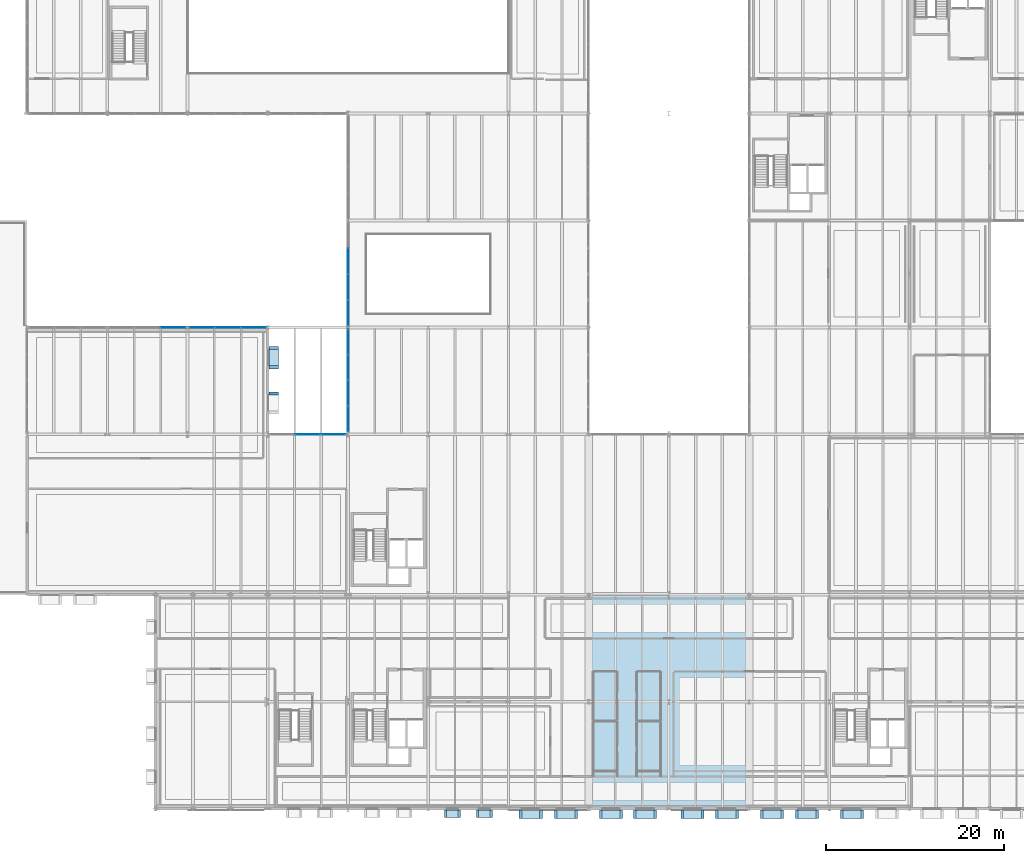
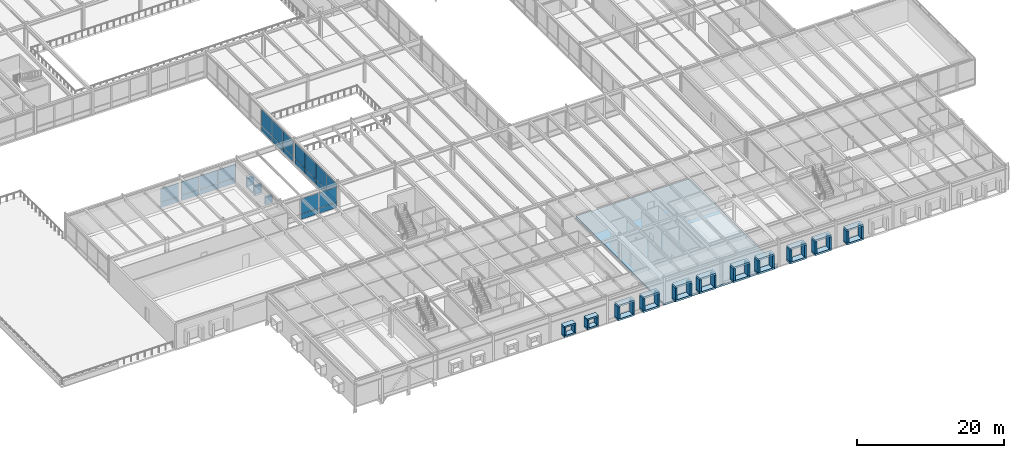
# One storey, part 96 of 127: 75 plates, 1 slab, 5 elements without a shape of their own.
"""IFC4 building model written with IfcOpenShell, lengths in metres."""

from ifc_helpers import new_model, si_unit, direction, frame, origin, origin_2d, place, context, subcontext, project, spatial, polyline, rectangle, outline, extrude, material, layer, layer_set, type_object, element, aggregate, save


model = new_model("IFC4")

# Units and contexts
model_context = context("Model", 3, precision=1e-05, world=origin(), true_north=direction((0.0, 1.0)))
body_context = subcontext(model_context, "Body", "Model", "MODEL_VIEW")
ifc_project = project(units=[si_unit("LENGTHUNIT", "METRE"), si_unit("AREAUNIT", "SQUARE_METRE"), si_unit("VOLUMEUNIT", "CUBIC_METRE"), si_unit("PLANEANGLEUNIT", "RADIAN"), si_unit("MASSUNIT", "GRAM", prefix="KILO")], contexts=[model_context])

# Site, building, storey
site_placement = place(None, origin())
site = spatial("IfcSite", under=ifc_project, at=site_placement, CompositionType="ELEMENT")
building_placement = place(site_placement, origin())
building = spatial("IfcBuilding", under=site, at=building_placement, Name="Montelvaro Courts of Justice", CompositionType="ELEMENT")
storey_placement = place(building_placement, frame((0.0, 0.0, 5.39990234375)))
storey = spatial("IfcBuildingStorey", under=building, at=storey_placement, Name="L01", CompositionType="ELEMENT", Elevation=5.39990234375)

# Curtain wall, plates
ifc_material_1 = material(Name="Anodised aluminium EN AW-6063", Category="aluminium")
ifc_layer_1 = layer(ifc_material_1, 0.159912109375)
ifc_layer_set_1 = layer_set([ifc_layer_1], Name="Anodised aluminium EN AW-6063")
curtain_wall_type_1 = type_object("IfcCurtainWallType", Name="CurtainWall_14_867x418", PredefinedType="USERDEFINED", material=ifc_layer_set_1)
curtain_wall_1_placement = place(storey_placement, origin())
curtain_wall_1 = element("IfcCurtainWall", 1, at=curtain_wall_1_placement, inside=storey, type_object=curtain_wall_type_1, Name="Curtain Wall CW-14 (L01)", ObjectType="CURTAIN WALL", PredefinedType="USERDEFINED")
ifc_material_2 = material(Name="Acoustic laminated triple glazing", Category="glass")
ifc_layer_2 = layer(ifc_material_2, 0.035888671875)
ifc_layer_set_2 = layer_set([ifc_layer_2], Name="Acoustic laminated triple glazing")
plate_type_1 = type_object("IfcPlateType", Name="CurtainWall_Acoustic_Panel_36", PredefinedType="CURTAIN_PANEL", material=ifc_layer_set_2)
plate_1_placement = place(storey_placement, frame((43.375, 54.0, 0.06005859375), z_axis=(0.0, 0.0, 1.0), x_axis=(-1.0, 0.0, 0.0)))
plate_1 = element("IfcPlate", 2, at=plate_1_placement, type_object=plate_type_1, Name="CW-14 panel 1.1", PredefinedType="CURTAIN_PANEL", context=body_context, shape_type="SweptSolid", body=[
    extrude(rectangle(XDim=2.800048828125, YDim=0.035888671875, at=origin_2d()), origin(), (0.0, 0.0, 1.0), 0.860107421875),
])
plate_2_placement = place(storey_placement, frame((43.375, 54.0, 0.97998046875), z_axis=(0.0, 0.0, 1.0), x_axis=(-1.0, 0.0, 0.0)))
plate_2 = element("IfcPlate", 3, at=plate_2_placement, type_object=plate_type_1, Name="CW-14 panel 1.2", PredefinedType="CURTAIN_PANEL", context=body_context, shape_type="SweptSolid", body=[
    extrude(rectangle(XDim=2.800048828125, YDim=0.035888671875, at=origin_2d()), origin(), (0.0, 0.0, 1.0), 2.215087890625),
])
plate_3_placement = place(storey_placement, frame((40.5, 54.0, 0.06005859375), z_axis=(0.0, 0.0, 1.0), x_axis=(-1.0, 0.0, 0.0)))
plate_3 = element("IfcPlate", 4, at=plate_3_placement, type_object=plate_type_1, Name="CW-14 panel 2.1", PredefinedType="CURTAIN_PANEL", context=body_context, shape_type="SweptSolid", body=[
    extrude(rectangle(XDim=2.830078125, YDim=0.035888671875, at=origin_2d()), origin(), (0.0, 0.0, 1.0), 0.860107421875),
])
plate_4_placement = place(storey_placement, frame((40.5, 54.0, 0.97998046875), z_axis=(0.0, 0.0, 1.0), x_axis=(-1.0, 0.0, 0.0)))
plate_4 = element("IfcPlate", 5, at=plate_4_placement, type_object=plate_type_1, Name="CW-14 panel 2.2", PredefinedType="CURTAIN_PANEL", context=body_context, shape_type="SweptSolid", body=[
    extrude(rectangle(XDim=2.830078125, YDim=0.035888671875, at=origin_2d()), origin(), (0.0, 0.0, 1.0), 2.215087890625),
])
plate_5_placement = place(storey_placement, frame((37.625, 54.0, 0.06005859375), z_axis=(0.0, 0.0, 1.0), x_axis=(-1.0, 0.0, 0.0)))
plate_5 = element("IfcPlate", 6, at=plate_5_placement, type_object=plate_type_1, Name="CW-14 panel 3.1", PredefinedType="CURTAIN_PANEL", context=body_context, shape_type="SweptSolid", body=[
    extrude(rectangle(XDim=2.800048828125, YDim=0.035888671875, at=origin_2d()), origin(), (0.0, 0.0, 1.0), 0.860107421875),
])
plate_6_placement = place(storey_placement, frame((37.625, 54.0, 0.97998046875), z_axis=(0.0, 0.0, 1.0), x_axis=(-1.0, 0.0, 0.0)))
plate_6 = element("IfcPlate", 7, at=plate_6_placement, type_object=plate_type_1, Name="CW-14 panel 3.2", PredefinedType="CURTAIN_PANEL", context=body_context, shape_type="SweptSolid", body=[
    extrude(rectangle(XDim=2.800048828125, YDim=0.035888671875, at=origin_2d()), origin(), (0.0, 0.0, 1.0), 2.215087890625),
])
aggregate(curtain_wall_1, [plate_1, plate_2, plate_3, plate_4, plate_5, plate_6])

ifc_layer_3 = layer(ifc_material_1, 0.159912109375)
ifc_layer_set_3 = layer_set([ifc_layer_3], Name="Anodised aluminium EN AW-6063")
curtain_wall_type_2 = type_object("IfcCurtainWallType", Name="CurtainWall_18_868x418", PredefinedType="USERDEFINED", material=ifc_layer_set_3)
curtain_wall_2_placement = place(storey_placement, origin())
curtain_wall_2 = element("IfcCurtainWall", 8, at=curtain_wall_2_placement, inside=storey, type_object=curtain_wall_type_2, Name="Curtain Wall CW-18 (L01)", ObjectType="CURTAIN WALL", PredefinedType="USERDEFINED")
plate_7_placement = place(storey_placement, frame((34.373291015625, 54.0, 0.06005859375), z_axis=(0.0, 0.0, 1.0), x_axis=(-1.0, 0.0, 0.0)))
plate_7 = element("IfcPlate", 9, at=plate_7_placement, type_object=plate_type_1, Name="CW-18 panel 1.1", PredefinedType="CURTAIN_PANEL", context=body_context, shape_type="SweptSolid", body=[
    extrude(rectangle(XDim=2.80322265625, YDim=0.035888671875, at=origin_2d()), origin(), (0.0, 0.0, 1.0), 0.860107421875),
])
plate_8_placement = place(storey_placement, frame((34.373291015625, 54.0, 0.97998046875), z_axis=(0.0, 0.0, 1.0), x_axis=(-1.0, 0.0, 0.0)))
plate_8 = element("IfcPlate", 10, at=plate_8_placement, type_object=plate_type_1, Name="CW-18 panel 1.2", PredefinedType="CURTAIN_PANEL", context=body_context, shape_type="SweptSolid", body=[
    extrude(rectangle(XDim=2.80322265625, YDim=0.035888671875, at=origin_2d()), origin(), (0.0, 0.0, 1.0), 2.215087890625),
])
aggregate(curtain_wall_2, [plate_7, plate_8])

ifc_layer_4 = layer(ifc_material_1, 0.159912109375)
ifc_layer_set_4 = layer_set([ifc_layer_4], Name="Anodised aluminium EN AW-6063")
curtain_wall_type_3 = type_object("IfcCurtainWallType", Name="CurtainWall_19_1159x418", PredefinedType="USERDEFINED", material=ifc_layer_set_4)
curtain_wall_3_placement = place(storey_placement, origin())
curtain_wall_3 = element("IfcCurtainWall", 11, at=curtain_wall_3_placement, inside=storey, type_object=curtain_wall_type_3, Name="Curtain Wall CW-19 (L01)", ObjectType="CURTAIN WALL", PredefinedType="USERDEFINED")
plate_9_placement = place(storey_placement, frame((54.0, 52.38134765625, 0.06005859375), z_axis=(0.0, 0.0, 1.0), x_axis=(0.0, -1.0, 0.0)))
plate_9 = element("IfcPlate", 12, at=plate_9_placement, type_object=plate_type_1, Name="CW-19 panel 1.1", PredefinedType="CURTAIN_PANEL", context=body_context, shape_type="SweptSolid", body=[
    extrude(rectangle(XDim=2.797607421875, YDim=0.035888671875, at=origin_2d()), origin(), (0.0, 0.0, 1.0), 0.860107421875),
])
plate_10_placement = place(storey_placement, frame((54.0, 52.38134765625, 0.97998046875), z_axis=(0.0, 0.0, 1.0), x_axis=(0.0, -1.0, 0.0)))
plate_10 = element("IfcPlate", 13, at=plate_10_placement, type_object=plate_type_1, Name="CW-19 panel 1.2", PredefinedType="CURTAIN_PANEL", context=body_context, shape_type="SweptSolid", body=[
    extrude(rectangle(XDim=2.797607421875, YDim=0.035888671875, at=origin_2d()), origin(), (0.0, 0.0, 1.0), 2.735107421875),
])
plate_11_placement = place(storey_placement, frame((54.0, 49.50244140625, 0.06005859375), z_axis=(0.0, 0.0, 1.0), x_axis=(0.0, -1.0, 0.0)))
plate_11 = element("IfcPlate", 14, at=plate_11_placement, type_object=plate_type_1, Name="CW-19 panel 2.1", PredefinedType="CURTAIN_PANEL", context=body_context, shape_type="SweptSolid", body=[
    extrude(rectangle(XDim=2.830078125, YDim=0.035888671875, at=origin_2d()), origin(), (0.0, 0.0, 1.0), 0.860107421875),
])
plate_12_placement = place(storey_placement, frame((54.0, 49.50244140625, 0.97998046875), z_axis=(0.0, 0.0, 1.0), x_axis=(0.0, -1.0, 0.0)))
plate_12 = element("IfcPlate", 15, at=plate_12_placement, type_object=plate_type_1, Name="CW-19 panel 2.2", PredefinedType="CURTAIN_PANEL", context=body_context, shape_type="SweptSolid", body=[
    extrude(rectangle(XDim=2.830078125, YDim=0.035888671875, at=origin_2d()), origin(), (0.0, 0.0, 1.0), 2.735107421875),
])
plate_13_placement = place(storey_placement, frame((54.0, 46.607421875, 0.06005859375), z_axis=(0.0, 0.0, 1.0), x_axis=(0.0, -1.0, 0.0)))
plate_13 = element("IfcPlate", 16, at=plate_13_placement, type_object=plate_type_1, Name="CW-19 panel 3.1", PredefinedType="CURTAIN_PANEL", context=body_context, shape_type="SweptSolid", body=[
    extrude(rectangle(XDim=2.830078125, YDim=0.035888671875, at=origin_2d()), origin(), (0.0, 0.0, 1.0), 0.860107421875),
])
plate_14_placement = place(storey_placement, frame((54.0, 46.607421875, 0.97998046875), z_axis=(0.0, 0.0, 1.0), x_axis=(0.0, -1.0, 0.0)))
plate_14 = element("IfcPlate", 17, at=plate_14_placement, type_object=plate_type_1, Name="CW-19 panel 3.2", PredefinedType="CURTAIN_PANEL", context=body_context, shape_type="SweptSolid", body=[
    extrude(rectangle(XDim=2.830078125, YDim=0.035888671875, at=origin_2d()), origin(), (0.0, 0.0, 1.0), 2.735107421875),
])
plate_15_placement = place(storey_placement, frame((54.0, 43.728759765625, 0.06005859375), z_axis=(0.0, 0.0, 1.0), x_axis=(0.0, -1.0, 0.0)))
plate_15 = element("IfcPlate", 18, at=plate_15_placement, type_object=plate_type_1, Name="CW-19 panel 4.1", PredefinedType="CURTAIN_PANEL", context=body_context, shape_type="SweptSolid", body=[
    extrude(rectangle(XDim=2.797607421875, YDim=0.035888671875, at=origin_2d()), origin(), (0.0, 0.0, 1.0), 0.860107421875),
])
plate_16_placement = place(storey_placement, frame((54.0, 43.728759765625, 0.97998046875), z_axis=(0.0, 0.0, 1.0), x_axis=(0.0, -1.0, 0.0)))
plate_16 = element("IfcPlate", 19, at=plate_16_placement, type_object=plate_type_1, Name="CW-19 panel 4.2", PredefinedType="CURTAIN_PANEL", context=body_context, shape_type="SweptSolid", body=[
    extrude(rectangle(XDim=2.797607421875, YDim=0.035888671875, at=origin_2d()), origin(), (0.0, 0.0, 1.0), 2.735107421875),
])
aggregate(curtain_wall_3, [plate_9, plate_10, plate_11, plate_12, plate_13, plate_14, plate_15, plate_16])

curtain_wall_4_placement = place(storey_placement, origin())
curtain_wall_4 = element("IfcCurtainWall", 20, at=curtain_wall_4_placement, inside=storey, type_object=curtain_wall_type_1, Name="Curtain Wall CW-14 (L01)", ObjectType="CURTAIN WALL", PredefinedType="USERDEFINED")
ifc_material_3 = material(Name="Insulated spandrel glazing", Category="glass")
ifc_layer_5 = layer(ifc_material_3, 0.048095703125)
ifc_layer_set_5 = layer_set([ifc_layer_5], Name="Insulated spandrel glazing")
plate_type_2 = type_object("IfcPlateType", Name="CurtainWall_Spandrel_Panel_48", PredefinedType="CURTAIN_PANEL", material=ifc_layer_set_5)
plate_17_placement = place(storey_placement, frame((52.371337890625, 42.0, 0.06005859375), z_axis=(0.0, 0.0, 1.0), x_axis=(-1.0, 0.0, 0.0)))
plate_17 = element("IfcPlate", 21, at=plate_17_placement, type_object=plate_type_2, Name="CW-14 panel 1.1", PredefinedType="CURTAIN_PANEL", context=body_context, shape_type="SweptSolid", body=[
    extrude(rectangle(XDim=2.777587890625, YDim=0.048095703125, at=origin_2d()), origin(), (0.0, 0.0, 1.0), 0.860107421875),
])
plate_18_placement = place(storey_placement, frame((52.371337890625, 42.0, 0.97998046875), z_axis=(0.0, 0.0, 1.0), x_axis=(-1.0, 0.0, 0.0)))
plate_18 = element("IfcPlate", 22, at=plate_18_placement, type_object=plate_type_2, Name="CW-14 panel 1.2", PredefinedType="CURTAIN_PANEL", context=body_context, shape_type="SweptSolid", body=[
    extrude(rectangle(XDim=2.777587890625, YDim=0.048095703125, at=origin_2d()), origin(), (0.0, 0.0, 1.0), 2.514892578125),
])
plate_19_placement = place(storey_placement, frame((49.5, 42.0, 0.06005859375), z_axis=(0.0, 0.0, 1.0), x_axis=(-1.0, 0.0, 0.0)))
plate_19 = element("IfcPlate", 23, at=plate_19_placement, type_object=plate_type_2, Name="CW-14 panel 2.1", PredefinedType="CURTAIN_PANEL", context=body_context, shape_type="SweptSolid", body=[
    extrude(rectangle(XDim=2.81494140625, YDim=0.048095703125, at=origin_2d()), origin(), (0.0, 0.0, 1.0), 0.860107421875),
])
plate_20_placement = place(storey_placement, frame((49.5, 42.0, 0.97998046875), z_axis=(0.0, 0.0, 1.0), x_axis=(-1.0, 0.0, 0.0)))
plate_20 = element("IfcPlate", 24, at=plate_20_placement, type_object=plate_type_2, Name="CW-14 panel 2.2", PredefinedType="CURTAIN_PANEL", context=body_context, shape_type="SweptSolid", body=[
    extrude(rectangle(XDim=2.81494140625, YDim=0.048095703125, at=origin_2d()), origin(), (0.0, 0.0, 1.0), 2.514892578125),
])
aggregate(curtain_wall_4, [plate_17, plate_18, plate_19, plate_20])

ifc_layer_6 = layer(ifc_material_1, 0.159912109375)
ifc_layer_set_6 = layer_set([ifc_layer_6], Name="Anodised aluminium EN AW-6063")
curtain_wall_type_4 = type_object("IfcCurtainWallType", Name="CurtainWall_24_1169x418", PredefinedType="USERDEFINED", material=ifc_layer_set_6)
curtain_wall_5_placement = place(storey_placement, origin())
curtain_wall_5 = element("IfcCurtainWall", 25, at=curtain_wall_5_placement, inside=storey, type_object=curtain_wall_type_4, Name="Curtain Wall CW-24 (L01)", ObjectType="CURTAIN WALL", PredefinedType="USERDEFINED")
plate_21_placement = place(storey_placement, frame((54.0, 61.461181640625, 0.0751953125), z_axis=(0.0, 0.0, 1.0), x_axis=(0.0, -1.0, 0.0)))
plate_21 = element("IfcPlate", 26, at=plate_21_placement, type_object=plate_type_2, Name="CW-24 panel 2.1", PredefinedType="CURTAIN_PANEL", context=body_context, shape_type="SweptSolid", body=[
    extrude(rectangle(XDim=2.862548828125, YDim=0.048095703125, at=origin_2d()), origin(), (0.0, 0.0, 1.0), 0.83740234375),
])
plate_22_placement = place(storey_placement, frame((54.0, 61.461181640625, 0.987548828125), z_axis=(0.0, 0.0, 1.0), x_axis=(0.0, -1.0, 0.0)))
plate_22 = element("IfcPlate", 27, at=plate_22_placement, type_object=plate_type_2, Name="CW-24 panel 2.2", PredefinedType="CURTAIN_PANEL", context=body_context, shape_type="SweptSolid", body=[
    extrude(rectangle(XDim=2.862548828125, YDim=0.048095703125, at=origin_2d()), origin(), (0.0, 0.0, 1.0), 2.71240234375),
])
plate_23_placement = place(storey_placement, frame((54.0, 58.538818359375, 0.0751953125), z_axis=(0.0, 0.0, 1.0), x_axis=(0.0, -1.0, 0.0)))
plate_23 = element("IfcPlate", 28, at=plate_23_placement, type_object=plate_type_2, Name="CW-24 panel 3.1", PredefinedType="CURTAIN_PANEL", context=body_context, shape_type="SweptSolid", body=[
    extrude(rectangle(XDim=2.862548828125, YDim=0.048095703125, at=origin_2d()), origin(), (0.0, 0.0, 1.0), 0.83740234375),
])
plate_24_placement = place(storey_placement, frame((54.0, 58.538818359375, 0.987548828125), z_axis=(0.0, 0.0, 1.0), x_axis=(0.0, -1.0, 0.0)))
plate_24 = element("IfcPlate", 29, at=plate_24_placement, type_object=plate_type_2, Name="CW-24 panel 3.2", PredefinedType="CURTAIN_PANEL", context=body_context, shape_type="SweptSolid", body=[
    extrude(rectangle(XDim=2.862548828125, YDim=0.048095703125, at=origin_2d()), origin(), (0.0, 0.0, 1.0), 2.71240234375),
])
plate_25_placement = place(storey_placement, frame((54.0, 55.63134765625, 0.0751953125), z_axis=(0.0, 0.0, 1.0), x_axis=(0.0, -1.0, 0.0)))
plate_25 = element("IfcPlate", 30, at=plate_25_placement, type_object=plate_type_2, Name="CW-24 panel 4.1", PredefinedType="CURTAIN_PANEL", context=body_context, shape_type="SweptSolid", body=[
    extrude(rectangle(XDim=2.83251953125, YDim=0.048095703125, at=origin_2d()), origin(), (0.0, 0.0, 1.0), 0.83740234375),
])
plate_26_placement = place(storey_placement, frame((54.0, 55.63134765625, 0.987548828125), z_axis=(0.0, 0.0, 1.0), x_axis=(0.0, -1.0, 0.0)))
plate_26 = element("IfcPlate", 31, at=plate_26_placement, type_object=plate_type_2, Name="CW-24 panel 4.2", PredefinedType="CURTAIN_PANEL", context=body_context, shape_type="SweptSolid", body=[
    extrude(rectangle(XDim=2.83251953125, YDim=0.048095703125, at=origin_2d()), origin(), (0.0, 0.0, 1.0), 2.71240234375),
])
aggregate(curtain_wall_5, [plate_21, plate_22, plate_23, plate_24, plate_25, plate_26])

# Slab
ifc_material_4 = material(Name="Concrete C35/45", Category="concrete")
ifc_layer_7 = layer(ifc_material_4, 0.320068359375)
ifc_layer_set_7 = layer_set([ifc_layer_7], Name="Concrete C35/45")
slab_type = type_object("IfcSlabType", Name="FloorSlab_V5_320", PredefinedType="FLOOR", material=ifc_layer_set_7)
slab_placement = place(storey_placement, frame((0.0, 0.0, -0.31982421875)))
element("IfcSlab", 32, at=slab_placement, inside=storey, type_object=slab_type, Name="Structural Slab SF-05 L01", PredefinedType="FLOOR", context=body_context, shape_type="SweptSolid", body=[
    extrude(outline(polyline([(81.050048828125, 0.0), (98.949951171875, 0.0), (98.949951171875, 24.0), (81.050048828125, 24.0), (81.050048828125, 0.0)])), origin(), (0.0, 0.0, 1.0), 0.31982421875),
])

# Plates
ifc_material_5 = material(Name="White mineral precast concrete C45/55", Category="concrete")
ifc_layer_8 = layer(ifc_material_5, 0.25)
ifc_layer_set_8 = layer_set([ifc_layer_8], Name="White mineral precast concrete C45/55")
plate_type_3 = type_object("IfcPlateType", Name="PrecastSquareFrame_250x850", PredefinedType="SHEET", material=ifc_layer_set_8)
for number, where, z_axis, x_axis, name in (
    (33, (65.702880859375, -0.570068359375, 2.2001953125), (0.0, 0.0, 1.0), (1.0, 0.0, 0.0), "Graduated Square Window Frame PF-03 W-L01-054 TOP"),
    (34, (65.702880859375, -0.570068359375, 0.650146484375), (0.0, 0.0, 1.0), (1.0, 0.0, 0.0), "Graduated Square Window Frame PF-03 W-L01-054 BOT"),
):
    element("IfcPlate", number, at=place(storey_placement, frame(where, z_axis=z_axis, x_axis=x_axis)), inside=storey, type_object=plate_type_3, Name=name, PredefinedType="SHEET", context=body_context, shape_type="SweptSolid", body=[
        extrude(rectangle(XDim=1.800048828125, YDim=0.860107421875, at=origin_2d()), origin(), (0.0, 0.0, 1.0), 0.25),
    ])
for number, where, z_axis, x_axis, name in (
    (35, (64.927978515625, -0.570068359375, 0.89990234375), (0.0, 0.0, 1.0), (1.0, 0.0, 0.0), "Graduated Square Window Frame PF-03 W-L01-054 L"),
    (36, (66.47802734375, -0.570068359375, 0.89990234375), (0.0, 0.0, 1.0), (1.0, 0.0, 0.0), "Graduated Square Window Frame PF-03 W-L01-054 R"),
):
    element("IfcPlate", number, at=place(storey_placement, frame(where, z_axis=z_axis, x_axis=x_axis)), inside=storey, type_object=plate_type_3, Name=name, PredefinedType="SHEET", context=body_context, shape_type="SweptSolid", body=[
        extrude(rectangle(XDim=0.25, YDim=0.860107421875, at=origin_2d()), origin(), (0.0, 0.0, 1.0), 1.300048828125),
    ])
for number, where, z_axis, x_axis, name in (
    (37, (69.297119140625, -0.570068359375, 2.2001953125), (0.0, 0.0, 1.0), (1.0, 0.0, 0.0), "Graduated Square Window Frame PF-03 W-L01-055 TOP"),
    (38, (69.297119140625, -0.570068359375, 0.650146484375), (0.0, 0.0, 1.0), (1.0, 0.0, 0.0), "Graduated Square Window Frame PF-03 W-L01-055 BOT"),
):
    element("IfcPlate", number, at=place(storey_placement, frame(where, z_axis=z_axis, x_axis=x_axis)), inside=storey, type_object=plate_type_3, Name=name, PredefinedType="SHEET", context=body_context, shape_type="SweptSolid", body=[
        extrude(rectangle(XDim=1.800048828125, YDim=0.860107421875, at=origin_2d()), origin(), (0.0, 0.0, 1.0), 0.25),
    ])
for number, where, z_axis, x_axis, name in (
    (39, (68.52197265625, -0.570068359375, 0.89990234375), (0.0, 0.0, 1.0), (1.0, 0.0, 0.0), "Graduated Square Window Frame PF-03 W-L01-055 L"),
    (40, (70.072021484375, -0.570068359375, 0.89990234375), (0.0, 0.0, 1.0), (1.0, 0.0, 0.0), "Graduated Square Window Frame PF-03 W-L01-055 R"),
):
    element("IfcPlate", number, at=place(storey_placement, frame(where, z_axis=z_axis, x_axis=x_axis)), inside=storey, type_object=plate_type_3, Name=name, PredefinedType="SHEET", context=body_context, shape_type="SweptSolid", body=[
        extrude(rectangle(XDim=0.25, YDim=0.860107421875, at=origin_2d()), origin(), (0.0, 0.0, 1.0), 1.300048828125),
    ])
ifc_layer_9 = layer(ifc_material_5, 0.300048828125)
ifc_layer_set_9 = layer_set([ifc_layer_9], Name="White mineral precast concrete C45/55")
plate_type_4 = type_object("IfcPlateType", Name="PrecastSquareFrame_300x950", PredefinedType="SHEET", material=ifc_layer_set_9)
for number, where, z_axis, x_axis, name in (
    (41, (74.510009765625, -0.6201171875, 2.80029296875), (0.0, 0.0, 1.0), (1.0, 0.0, 0.0), "Graduated Square Window Frame PF-02 W-L01-056 TOP"),
    (42, (74.510009765625, -0.6201171875, 0.5), (0.0, 0.0, 1.0), (1.0, 0.0, 0.0), "Graduated Square Window Frame PF-02 W-L01-056 BOT"),
):
    element("IfcPlate", number, at=place(storey_placement, frame(where, z_axis=z_axis, x_axis=x_axis)), inside=storey, type_object=plate_type_4, Name=name, PredefinedType="SHEET", context=body_context, shape_type="SweptSolid", body=[
        extrude(rectangle(XDim=2.60009765625, YDim=0.9599609375, at=origin_2d()), origin(), (0.0, 0.0, 1.0), 0.300048828125),
    ])
for number, where, z_axis, x_axis, name in (
    (43, (73.360107421875, -0.6201171875, 0.800048828125), (0.0, 0.0, 1.0), (1.0, 0.0, 0.0), "Graduated Square Window Frame PF-02 W-L01-056 L"),
    (44, (75.659912109375, -0.6201171875, 0.800048828125), (0.0, 0.0, 1.0), (1.0, 0.0, 0.0), "Graduated Square Window Frame PF-02 W-L01-056 R"),
):
    element("IfcPlate", number, at=place(storey_placement, frame(where, z_axis=z_axis, x_axis=x_axis)), inside=storey, type_object=plate_type_4, Name=name, PredefinedType="SHEET", context=body_context, shape_type="SweptSolid", body=[
        extrude(rectangle(XDim=0.300048828125, YDim=0.9599609375, at=origin_2d()), origin(), (0.0, 0.0, 1.0), 2.0),
    ])
for number, where, z_axis, x_axis, name in (
    (45, (78.43994140625, -0.6201171875, 2.80029296875), (0.0, 0.0, 1.0), (1.0, 0.0, 0.0), "Graduated Square Window Frame PF-02 W-L01-057 TOP"),
    (46, (78.43994140625, -0.6201171875, 0.5), (0.0, 0.0, 1.0), (1.0, 0.0, 0.0), "Graduated Square Window Frame PF-02 W-L01-057 BOT"),
):
    element("IfcPlate", number, at=place(storey_placement, frame(where, z_axis=z_axis, x_axis=x_axis)), inside=storey, type_object=plate_type_4, Name=name, PredefinedType="SHEET", context=body_context, shape_type="SweptSolid", body=[
        extrude(rectangle(XDim=2.60009765625, YDim=0.9599609375, at=origin_2d()), origin(), (0.0, 0.0, 1.0), 0.300048828125),
    ])
for number, where, z_axis, x_axis, name in (
    (47, (77.2900390625, -0.6201171875, 0.800048828125), (0.0, 0.0, 1.0), (1.0, 0.0, 0.0), "Graduated Square Window Frame PF-02 W-L01-057 L"),
    (48, (79.590087890625, -0.6201171875, 0.800048828125), (0.0, 0.0, 1.0), (1.0, 0.0, 0.0), "Graduated Square Window Frame PF-02 W-L01-057 R"),
):
    element("IfcPlate", number, at=place(storey_placement, frame(where, z_axis=z_axis, x_axis=x_axis)), inside=storey, type_object=plate_type_4, Name=name, PredefinedType="SHEET", context=body_context, shape_type="SweptSolid", body=[
        extrude(rectangle(XDim=0.300048828125, YDim=0.9599609375, at=origin_2d()), origin(), (0.0, 0.0, 1.0), 2.0),
    ])
for number, where, z_axis, x_axis, name in (
    (49, (83.4990234375, -0.6201171875, 2.80029296875), (0.0, 0.0, 1.0), (1.0, 0.0, 0.0), "Graduated Square Window Frame PF-02 W-L01-062 TOP"),
    (50, (83.4990234375, -0.6201171875, 0.5), (0.0, 0.0, 1.0), (1.0, 0.0, 0.0), "Graduated Square Window Frame PF-02 W-L01-062 BOT"),
):
    element("IfcPlate", number, at=place(storey_placement, frame(where, z_axis=z_axis, x_axis=x_axis)), inside=storey, type_object=plate_type_4, Name=name, PredefinedType="SHEET", context=body_context, shape_type="SweptSolid", body=[
        extrude(rectangle(XDim=2.60009765625, YDim=0.9599609375, at=origin_2d()), origin(), (0.0, 0.0, 1.0), 0.300048828125),
    ])
for number, where, z_axis, x_axis, name in (
    (51, (82.34912109375, -0.6201171875, 0.800048828125), (0.0, 0.0, 1.0), (1.0, 0.0, 0.0), "Graduated Square Window Frame PF-02 W-L01-062 L"),
    (52, (84.64892578125, -0.6201171875, 0.800048828125), (0.0, 0.0, 1.0), (1.0, 0.0, 0.0), "Graduated Square Window Frame PF-02 W-L01-062 R"),
):
    element("IfcPlate", number, at=place(storey_placement, frame(where, z_axis=z_axis, x_axis=x_axis)), inside=storey, type_object=plate_type_4, Name=name, PredefinedType="SHEET", context=body_context, shape_type="SweptSolid", body=[
        extrude(rectangle(XDim=0.300048828125, YDim=0.9599609375, at=origin_2d()), origin(), (0.0, 0.0, 1.0), 2.0),
    ])
for number, where, z_axis, x_axis, name in (
    (53, (87.3359375, -0.6201171875, 2.80029296875), (0.0, 0.0, 1.0), (1.0, 0.0, 0.0), "Graduated Square Window Frame PF-02 W-L01-063 TOP"),
    (54, (87.3359375, -0.6201171875, 0.5), (0.0, 0.0, 1.0), (1.0, 0.0, 0.0), "Graduated Square Window Frame PF-02 W-L01-063 BOT"),
):
    element("IfcPlate", number, at=place(storey_placement, frame(where, z_axis=z_axis, x_axis=x_axis)), inside=storey, type_object=plate_type_4, Name=name, PredefinedType="SHEET", context=body_context, shape_type="SweptSolid", body=[
        extrude(rectangle(XDim=2.60009765625, YDim=0.9599609375, at=origin_2d()), origin(), (0.0, 0.0, 1.0), 0.300048828125),
    ])
for number, where, z_axis, x_axis, name in (
    (55, (86.18603515625, -0.6201171875, 0.800048828125), (0.0, 0.0, 1.0), (1.0, 0.0, 0.0), "Graduated Square Window Frame PF-02 W-L01-063 L"),
    (56, (88.486083984375, -0.6201171875, 0.800048828125), (0.0, 0.0, 1.0), (1.0, 0.0, 0.0), "Graduated Square Window Frame PF-02 W-L01-063 R"),
):
    element("IfcPlate", number, at=place(storey_placement, frame(where, z_axis=z_axis, x_axis=x_axis)), inside=storey, type_object=plate_type_4, Name=name, PredefinedType="SHEET", context=body_context, shape_type="SweptSolid", body=[
        extrude(rectangle(XDim=0.300048828125, YDim=0.9599609375, at=origin_2d()), origin(), (0.0, 0.0, 1.0), 2.0),
    ])
for number, where, z_axis, x_axis, name in (
    (57, (92.6640625, -0.6201171875, 2.80029296875), (0.0, 0.0, 1.0), (1.0, 0.0, 0.0), "Graduated Square Window Frame PF-02 W-L01-064 TOP"),
    (58, (92.6640625, -0.6201171875, 0.5), (0.0, 0.0, 1.0), (1.0, 0.0, 0.0), "Graduated Square Window Frame PF-02 W-L01-064 BOT"),
):
    element("IfcPlate", number, at=place(storey_placement, frame(where, z_axis=z_axis, x_axis=x_axis)), inside=storey, type_object=plate_type_4, Name=name, PredefinedType="SHEET", context=body_context, shape_type="SweptSolid", body=[
        extrude(rectangle(XDim=2.60009765625, YDim=0.9599609375, at=origin_2d()), origin(), (0.0, 0.0, 1.0), 0.300048828125),
    ])
for number, where, z_axis, x_axis, name in (
    (59, (91.513916015625, -0.6201171875, 0.800048828125), (0.0, 0.0, 1.0), (1.0, 0.0, 0.0), "Graduated Square Window Frame PF-02 W-L01-064 L"),
    (60, (93.81396484375, -0.6201171875, 0.800048828125), (0.0, 0.0, 1.0), (1.0, 0.0, 0.0), "Graduated Square Window Frame PF-02 W-L01-064 R"),
):
    element("IfcPlate", number, at=place(storey_placement, frame(where, z_axis=z_axis, x_axis=x_axis)), inside=storey, type_object=plate_type_4, Name=name, PredefinedType="SHEET", context=body_context, shape_type="SweptSolid", body=[
        extrude(rectangle(XDim=0.300048828125, YDim=0.9599609375, at=origin_2d()), origin(), (0.0, 0.0, 1.0), 2.0),
    ])
for number, where, z_axis, x_axis, name in (
    (61, (96.5009765625, -0.6201171875, 2.80029296875), (0.0, 0.0, 1.0), (1.0, 0.0, 0.0), "Graduated Square Window Frame PF-02 W-L01-065 TOP"),
    (62, (96.5009765625, -0.6201171875, 0.5), (0.0, 0.0, 1.0), (1.0, 0.0, 0.0), "Graduated Square Window Frame PF-02 W-L01-065 BOT"),
):
    element("IfcPlate", number, at=place(storey_placement, frame(where, z_axis=z_axis, x_axis=x_axis)), inside=storey, type_object=plate_type_4, Name=name, PredefinedType="SHEET", context=body_context, shape_type="SweptSolid", body=[
        extrude(rectangle(XDim=2.60009765625, YDim=0.9599609375, at=origin_2d()), origin(), (0.0, 0.0, 1.0), 0.300048828125),
    ])
for number, where, z_axis, x_axis, name in (
    (63, (95.35107421875, -0.6201171875, 0.800048828125), (0.0, 0.0, 1.0), (1.0, 0.0, 0.0), "Graduated Square Window Frame PF-02 W-L01-065 L"),
    (64, (97.65087890625, -0.6201171875, 0.800048828125), (0.0, 0.0, 1.0), (1.0, 0.0, 0.0), "Graduated Square Window Frame PF-02 W-L01-065 R"),
):
    element("IfcPlate", number, at=place(storey_placement, frame(where, z_axis=z_axis, x_axis=x_axis)), inside=storey, type_object=plate_type_4, Name=name, PredefinedType="SHEET", context=body_context, shape_type="SweptSolid", body=[
        extrude(rectangle(XDim=0.300048828125, YDim=0.9599609375, at=origin_2d()), origin(), (0.0, 0.0, 1.0), 2.0),
    ])
for number, where, z_axis, x_axis, name in (
    (65, (101.56005859375, -0.6201171875, 2.80029296875), (0.0, 0.0, 1.0), (1.0, 0.0, 0.0), "Graduated Square Window Frame PF-02 W-L01-066 TOP"),
    (66, (101.56005859375, -0.6201171875, 0.5), (0.0, 0.0, 1.0), (1.0, 0.0, 0.0), "Graduated Square Window Frame PF-02 W-L01-066 BOT"),
):
    element("IfcPlate", number, at=place(storey_placement, frame(where, z_axis=z_axis, x_axis=x_axis)), inside=storey, type_object=plate_type_4, Name=name, PredefinedType="SHEET", context=body_context, shape_type="SweptSolid", body=[
        extrude(rectangle(XDim=2.60009765625, YDim=0.9599609375, at=origin_2d()), origin(), (0.0, 0.0, 1.0), 0.300048828125),
    ])
for number, where, z_axis, x_axis, name in (
    (67, (100.409912109375, -0.6201171875, 0.800048828125), (0.0, 0.0, 1.0), (1.0, 0.0, 0.0), "Graduated Square Window Frame PF-02 W-L01-066 L"),
    (68, (102.7099609375, -0.6201171875, 0.800048828125), (0.0, 0.0, 1.0), (1.0, 0.0, 0.0), "Graduated Square Window Frame PF-02 W-L01-066 R"),
):
    element("IfcPlate", number, at=place(storey_placement, frame(where, z_axis=z_axis, x_axis=x_axis)), inside=storey, type_object=plate_type_4, Name=name, PredefinedType="SHEET", context=body_context, shape_type="SweptSolid", body=[
        extrude(rectangle(XDim=0.300048828125, YDim=0.9599609375, at=origin_2d()), origin(), (0.0, 0.0, 1.0), 2.0),
    ])
for number, where, z_axis, x_axis, name in (
    (69, (105.489990234375, -0.6201171875, 2.80029296875), (0.0, 0.0, 1.0), (1.0, 0.0, 0.0), "Graduated Square Window Frame PF-02 W-L01-067 TOP"),
    (70, (105.489990234375, -0.6201171875, 0.5), (0.0, 0.0, 1.0), (1.0, 0.0, 0.0), "Graduated Square Window Frame PF-02 W-L01-067 BOT"),
):
    element("IfcPlate", number, at=place(storey_placement, frame(where, z_axis=z_axis, x_axis=x_axis)), inside=storey, type_object=plate_type_4, Name=name, PredefinedType="SHEET", context=body_context, shape_type="SweptSolid", body=[
        extrude(rectangle(XDim=2.60009765625, YDim=0.9599609375, at=origin_2d()), origin(), (0.0, 0.0, 1.0), 0.300048828125),
    ])
for number, where, z_axis, x_axis, name in (
    (71, (104.340087890625, -0.6201171875, 0.800048828125), (0.0, 0.0, 1.0), (1.0, 0.0, 0.0), "Graduated Square Window Frame PF-02 W-L01-067 L"),
    (72, (106.639892578125, -0.6201171875, 0.800048828125), (0.0, 0.0, 1.0), (1.0, 0.0, 0.0), "Graduated Square Window Frame PF-02 W-L01-067 R"),
):
    element("IfcPlate", number, at=place(storey_placement, frame(where, z_axis=z_axis, x_axis=x_axis)), inside=storey, type_object=plate_type_4, Name=name, PredefinedType="SHEET", context=body_context, shape_type="SweptSolid", body=[
        extrude(rectangle(XDim=0.300048828125, YDim=0.9599609375, at=origin_2d()), origin(), (0.0, 0.0, 1.0), 2.0),
    ])
for number, where, z_axis, x_axis, name in (
    (73, (110.52392578125, -0.6201171875, 2.80029296875), (0.0, 0.0, 1.0), (1.0, 0.0, 0.0), "Graduated Square Window Frame PF-02 W-L01-068 TOP"),
    (74, (110.52392578125, -0.6201171875, 0.5), (0.0, 0.0, 1.0), (1.0, 0.0, 0.0), "Graduated Square Window Frame PF-02 W-L01-068 BOT"),
):
    element("IfcPlate", number, at=place(storey_placement, frame(where, z_axis=z_axis, x_axis=x_axis)), inside=storey, type_object=plate_type_4, Name=name, PredefinedType="SHEET", context=body_context, shape_type="SweptSolid", body=[
        extrude(rectangle(XDim=2.60009765625, YDim=0.9599609375, at=origin_2d()), origin(), (0.0, 0.0, 1.0), 0.300048828125),
    ])
for number, where, z_axis, x_axis, name in (
    (75, (109.3740234375, -0.6201171875, 0.800048828125), (0.0, 0.0, 1.0), (1.0, 0.0, 0.0), "Graduated Square Window Frame PF-02 W-L01-068 L"),
    (76, (111.674072265625, -0.6201171875, 0.800048828125), (0.0, 0.0, 1.0), (1.0, 0.0, 0.0), "Graduated Square Window Frame PF-02 W-L01-068 R"),
):
    element("IfcPlate", number, at=place(storey_placement, frame(where, z_axis=z_axis, x_axis=x_axis)), inside=storey, type_object=plate_type_4, Name=name, PredefinedType="SHEET", context=body_context, shape_type="SweptSolid", body=[
        extrude(rectangle(XDim=0.300048828125, YDim=0.9599609375, at=origin_2d()), origin(), (0.0, 0.0, 1.0), 2.0),
    ])
ifc_layer_10 = layer(ifc_material_5, 0.35009765625)
ifc_layer_set_10 = layer_set([ifc_layer_10], Name="White mineral precast concrete C45/55")
plate_type_5 = type_object("IfcPlateType", Name="PrecastSquareFrame_350x1050", PredefinedType="SHEET", material=ifc_layer_set_10)
plate_27_placement = place(storey_placement, frame((45.669921875, 46.60498046875, 0.85009765625), z_axis=(0.0, 0.0, 1.0), x_axis=(0.0, 1.0, 0.0)))
element("IfcPlate", 77, at=plate_27_placement, inside=storey, type_object=plate_type_5, Name="Graduated Square Window Frame PF-01 W-L01-048 R", PredefinedType="SHEET", context=body_context, shape_type="SweptSolid", body=[
    extrude(rectangle(XDim=0.35009765625, YDim=1.06005859375, at=origin_2d()), origin(), (0.0, 0.0, 1.0), 1.199951171875),
])
for number, where, z_axis, x_axis, name in (
    (78, (45.669921875, 50.610107421875, 2.050048828125), (0.0, 0.0, 1.0), (0.0, 1.0, 0.0), "Graduated Square Window Frame PF-01 W-L01-049 TOP"),
    (79, (45.669921875, 50.610107421875, 0.5), (0.0, 0.0, 1.0), (0.0, 1.0, 0.0), "Graduated Square Window Frame PF-01 W-L01-049 BOT"),
):
    element("IfcPlate", number, at=place(storey_placement, frame(where, z_axis=z_axis, x_axis=x_axis)), inside=storey, type_object=plate_type_5, Name=name, PredefinedType="SHEET", context=body_context, shape_type="SweptSolid", body=[
        extrude(rectangle(XDim=2.5, YDim=1.06005859375, at=origin_2d()), origin(), (0.0, 0.0, 1.0), 0.35009765625),
    ])
for number, where, z_axis, x_axis, name in (
    (80, (45.669921875, 49.534912109375, 0.85009765625), (0.0, 0.0, 1.0), (0.0, 1.0, 0.0), "Graduated Square Window Frame PF-01 W-L01-049 L"),
    (81, (45.669921875, 51.68505859375, 0.85009765625), (0.0, 0.0, 1.0), (0.0, 1.0, 0.0), "Graduated Square Window Frame PF-01 W-L01-049 R"),
):
    element("IfcPlate", number, at=place(storey_placement, frame(where, z_axis=z_axis, x_axis=x_axis)), inside=storey, type_object=plate_type_5, Name=name, PredefinedType="SHEET", context=body_context, shape_type="SweptSolid", body=[
        extrude(rectangle(XDim=0.35009765625, YDim=1.06005859375, at=origin_2d()), origin(), (0.0, 0.0, 1.0), 1.199951171875),
    ])

save(model, "model.ifc")
